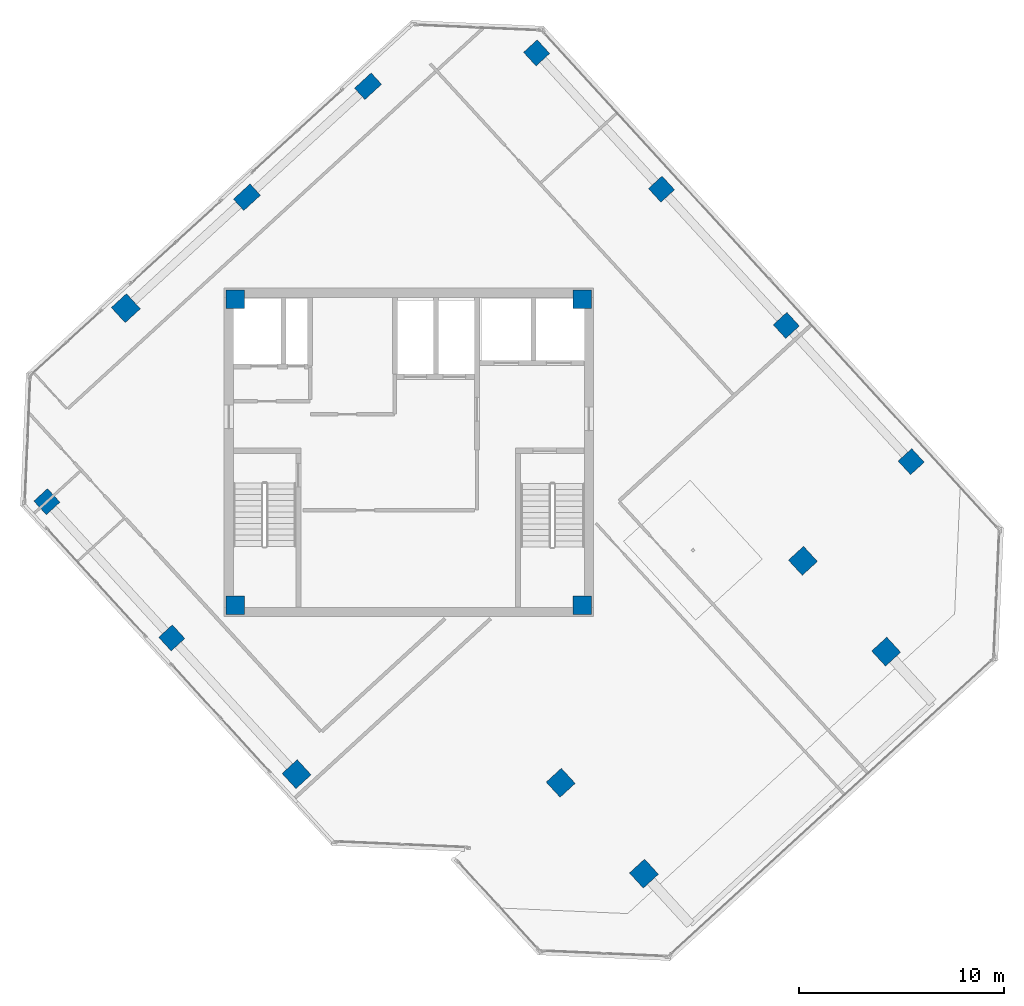
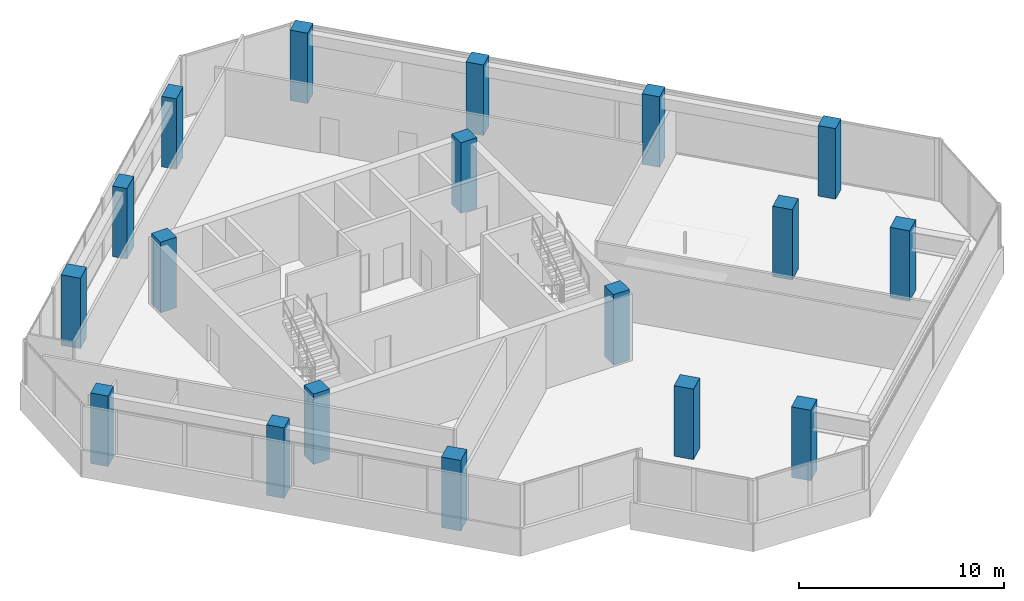
# One storey, part 1 of 18: 18 columns.
"""IFC4 building model written with IfcOpenShell, lengths in metres."""

from ifc_helpers import new_model, si_unit, direction, frame, origin, origin_2d, place, context, subcontext, project, spatial, rectangle, extrude, source, transform, mapped, material, material_profile, profile_set, type_object, element, save


model = new_model("IFC4")

# Units and contexts
model_context = context("Model", 3, precision=1e-05, world=origin(), true_north=direction((0.0, 1.0)))
body_context = subcontext(model_context, "Body", "Model", "MODEL_VIEW")
ifc_project = project(units=[si_unit("LENGTHUNIT", "METRE"), si_unit("AREAUNIT", "SQUARE_METRE"), si_unit("VOLUMEUNIT", "CUBIC_METRE"), si_unit("PLANEANGLEUNIT", "RADIAN"), si_unit("MASSUNIT", "GRAM", prefix="KILO")], contexts=[model_context])

# Site, building, storey
site_placement = place(None, origin())
site = spatial("IfcSite", under=ifc_project, at=site_placement, CompositionType="ELEMENT")
building_placement = place(site_placement, origin())
building = spatial("IfcBuilding", under=site, at=building_placement, Name="Torre Montelarca", CompositionType="ELEMENT")
storey_placement = place(building_placement, frame((0.0, 0.0, 258.39990234375)))
storey = spatial("IfcBuildingStorey", under=building, at=storey_placement, Name="L58", CompositionType="ELEMENT", Elevation=258.39990234375)

# Columns
ifc_material_1 = material(Name="Concrete C55/67", Category="concrete")
ifc_material_profile_1 = material_profile(ifc_material_1, rectangle(XDim=0.89990234375, YDim=0.89990234375, at=origin_2d()), Name="RC900X900", Category="concrete")
ifc_profile_set_1 = profile_set([ifc_material_profile_1], Name="Concrete C55/67")
column_type_1 = type_object("IfcColumnType", Name="COL-RC900", PredefinedType="COLUMN", material=ifc_profile_set_1)
shared_shape_1 = source(origin(), body_context, "Body", "SweptSolid", [
    extrude(rectangle(XDim=0.89990234375, YDim=0.89990234375, at=origin_2d()), origin(), (0.0, 0.0, 1.0), 4.19873046875),
])
for number, where, z_axis, x_axis, name in (
    (1, (9.550048828125, 24.550048828125, 0.000732421875), (0.0, 0.0, 1.0), (1.0, 0.0, 0.0), "L58 Plumb Core Corner Column 2D"),
    (2, (26.449951171875, 24.550048828125, 0.000732421875), (0.0, 0.0, 1.0), (1.0, 0.0, 0.0), "L58 Plumb Core Corner Column 4D"),
    (3, (9.550048828125, 39.449951171875, 0.000732421875), (0.0, 0.0, 1.0), (1.0, 0.0, 0.0), "L58 Plumb Core Corner Column 2F"),
    (4, (26.449951171875, 39.449951171875, 0.000732421875), (0.0, 0.0, 1.0), (1.0, 0.0, 0.0), "L58 Plumb Core Corner Column 4F"),
):
    element("IfcColumn", number, at=place(storey_placement, frame(where, z_axis=z_axis, x_axis=x_axis)), inside=storey, type_object=column_type_1, Name=name, PredefinedType="COLUMN", context=body_context, shape_type="MappedRepresentation", body=[
        mapped(shared_shape_1, transform((0.0, 0.0, 0.0), scale=1.0)),
    ])
ifc_material_profile_2 = material_profile(ifc_material_1, rectangle(XDim=0.89990234375, YDim=0.89990234375, at=origin_2d()), Name="RC900X900", Category="concrete")
ifc_profile_set_2 = profile_set([ifc_material_profile_2], Name="Concrete C55/67")
column_type_2 = type_object("IfcColumnType", Name="COL-RC900-EXT", PredefinedType="COLUMN", material=ifc_profile_set_2)
shared_shape_2 = source(origin(), body_context, "Body", "SweptSolid", [
    extrude(rectangle(XDim=0.89990234375, YDim=0.89990234375, at=origin_2d()), origin(), (0.0, 0.0, 1.0), 4.19873046875),
])
for number, where, z_axis, x_axis, name in (
    (5, (0.3740234375, 29.595703125, 0.000732421875), (0.0, 0.0, 1.0), (-0.675590207616, 0.73727733681, 0.0), "L58 Column 2/CS"),
    (6, (24.224853515625, 51.451171875, 0.000732421875), (0.0, 0.0, 1.0), (-0.675590207616, 0.73727733681, 0.0), "L58 Column 2/GN"),
    (7, (6.454345703125, 22.960205078125, 0.000732421875), (0.0, 0.0, 1.0), (-0.675590207616, 0.73727733681, 0.0), "L58 Column 3/CS"),
    (8, (30.30517578125, 44.815673828125, 0.000732421875), (0.0, 0.0, 1.0), (-0.675590207616, 0.73727733681, 0.0), "L58 Column 3/GN"),
    (9, (36.385498046875, 38.18017578125, 0.000732421875), (0.0, 0.0, 1.0), (-0.675590207616, 0.73727733681, 0.0), "L58 Column 4/GN"),
    (10, (42.4658203125, 31.544677734375, 0.000732421875), (0.0, 0.0, 1.0), (-0.675590207616, 0.73727733681, 0.0), "L58 Column 5/GN"),
):
    element("IfcColumn", number, at=place(storey_placement, frame(where, z_axis=z_axis, x_axis=x_axis)), inside=storey, type_object=column_type_2, Name=name, PredefinedType="COLUMN", context=body_context, shape_type="MappedRepresentation", body=[
        mapped(shared_shape_2, transform((0.0, 0.0, 0.0), scale=1.0)),
    ])
ifc_material_profile_3 = material_profile(ifc_material_1, rectangle(XDim=1.0, YDim=1.0, at=origin_2d()), Name="RC1000X1000", Category="concrete")
ifc_profile_set_3 = profile_set([ifc_material_profile_3], Name="Concrete C55/67")
column_type_3 = type_object("IfcColumnType", Name="COL-RC1000-EXT", PredefinedType="COLUMN", material=ifc_profile_set_3)
shared_shape_3 = source(origin(), body_context, "Body", "SweptSolid", [
    extrude(rectangle(XDim=1.0, YDim=1.0, at=origin_2d()), origin(), (0.0, 0.0, 1.0), 4.19873046875),
])
for number, where, z_axis, x_axis, name in (
    (11, (12.53466796875, 16.32470703125, 0.000732421875), (0.0, 0.0, 1.0), (-0.675590207616, 0.73727733681, 0.0), "L58 Column 4/CS"),
    (12, (29.451416015625, 11.481201171875, 0.000732421875), (0.0, 0.0, 1.0), (-0.675590207616, 0.73727733681, 0.0), "L58 Column 6/D"),
    (13, (41.247802734375, 22.29052734375, 0.000732421875), (0.0, 0.0, 1.0), (-0.675590207616, 0.73727733681, 0.0), "L58 Column 6/F"),
    (14, (4.218017578125, 39.018310546875, 0.000732421875), (0.0, 0.0, 1.0), (-0.675590207616, 0.73727733681, 0.0), "L58 Column 1W/D"),
):
    element("IfcColumn", number, at=place(storey_placement, frame(where, z_axis=z_axis, x_axis=x_axis)), inside=storey, type_object=column_type_3, Name=name, PredefinedType="COLUMN", context=body_context, shape_type="MappedRepresentation", body=[
        mapped(shared_shape_3, transform((0.0, 0.0, 0.0), scale=1.0)),
    ])
ifc_material_profile_4 = material_profile(ifc_material_1, rectangle(XDim=1.0, YDim=1.0, at=origin_2d()), Name="RC1000X1000", Category="concrete")
ifc_profile_set_4 = profile_set([ifc_material_profile_4], Name="Concrete C55/67")
column_type_4 = type_object("IfcColumnType", Name="COL-RC1000", PredefinedType="COLUMN", material=ifc_profile_set_4)
shared_shape_4 = source(origin(), body_context, "Body", "SweptSolid", [
    extrude(rectangle(XDim=1.0, YDim=1.0, at=origin_2d()), origin(), (0.0, 0.0, 1.0), 4.19873046875),
])
for number, where, z_axis, x_axis, name in (
    (15, (25.397705078125, 15.90478515625, 0.000732421875), (0.0, 0.0, 1.0), (-0.675590207616, 0.73727733681, 0.0), "L58 Column 5/D"),
    (16, (37.1943359375, 26.714111328125, 0.000732421875), (0.0, 0.0, 1.0), (-0.675590207616, 0.73727733681, 0.0), "L58 Column 5/F"),
):
    element("IfcColumn", number, at=place(storey_placement, frame(where, z_axis=z_axis, x_axis=x_axis)), inside=storey, type_object=column_type_4, Name=name, PredefinedType="COLUMN", context=body_context, shape_type="MappedRepresentation", body=[
        mapped(shared_shape_4, transform((0.0, 0.0, 0.0), scale=1.0)),
    ])
ifc_material_2 = material(Name="Concrete C40/50", Category="concrete")
ifc_material_profile_5 = material_profile(ifc_material_2, rectangle(XDim=0.75, YDim=1.10009765625, at=origin_2d()), Name="RC1100X750", Category="concrete")
ifc_profile_set_5 = profile_set([ifc_material_profile_5], Name="Concrete C40/50")
column_type_5 = type_object("IfcColumnType", Name="COL-PIL1100-EXT", PredefinedType="PILASTER", material=ifc_profile_set_5)
shared_shape_5 = source(origin(), body_context, "Body", "SweptSolid", [
    extrude(rectangle(XDim=0.75, YDim=1.10009765625, at=origin_2d()), origin(), (0.0, 0.0, 1.0), 4.19873046875),
])
for number, where, z_axis, x_axis, name in (
    (17, (10.1162109375, 44.423095703125, 0.000732421875), (0.0, 0.0, 1.0), (-0.675590207616, 0.73727733681, 0.0), "L58 Column 1W/E"),
    (18, (16.014404296875, 49.827880859375, 0.000732421875), (0.0, 0.0, 1.0), (-0.675590207616, 0.73727733681, 0.0), "L58 Column 1W/F"),
):
    element("IfcColumn", number, at=place(storey_placement, frame(where, z_axis=z_axis, x_axis=x_axis)), inside=storey, type_object=column_type_5, Name=name, PredefinedType="PILASTER", context=body_context, shape_type="MappedRepresentation", body=[
        mapped(shared_shape_5, transform((0.0, 0.0, 0.0), scale=1.0)),
    ])

save(model, "model.ifc")
